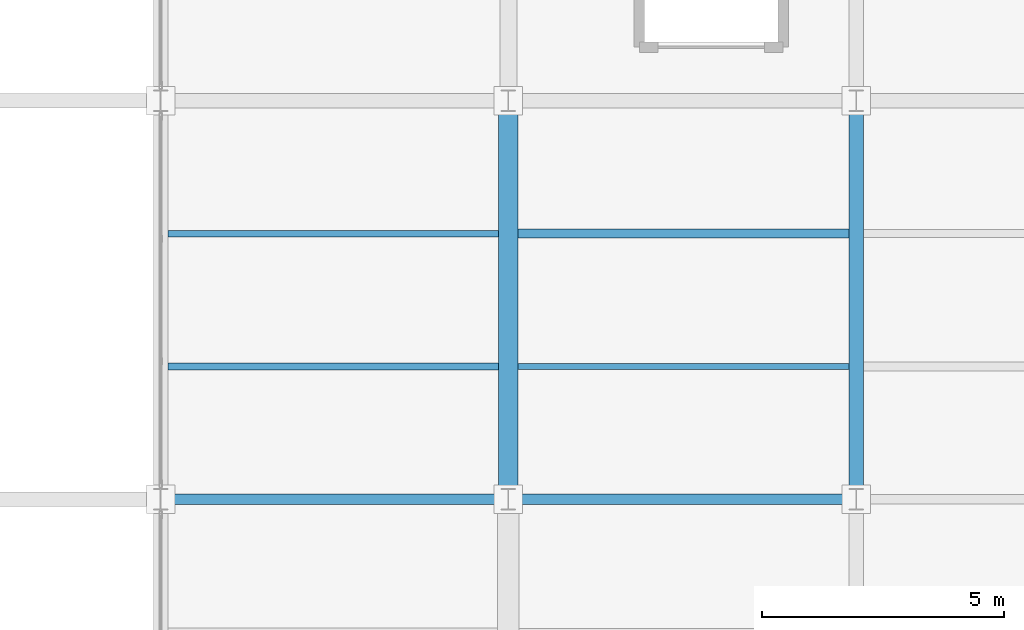
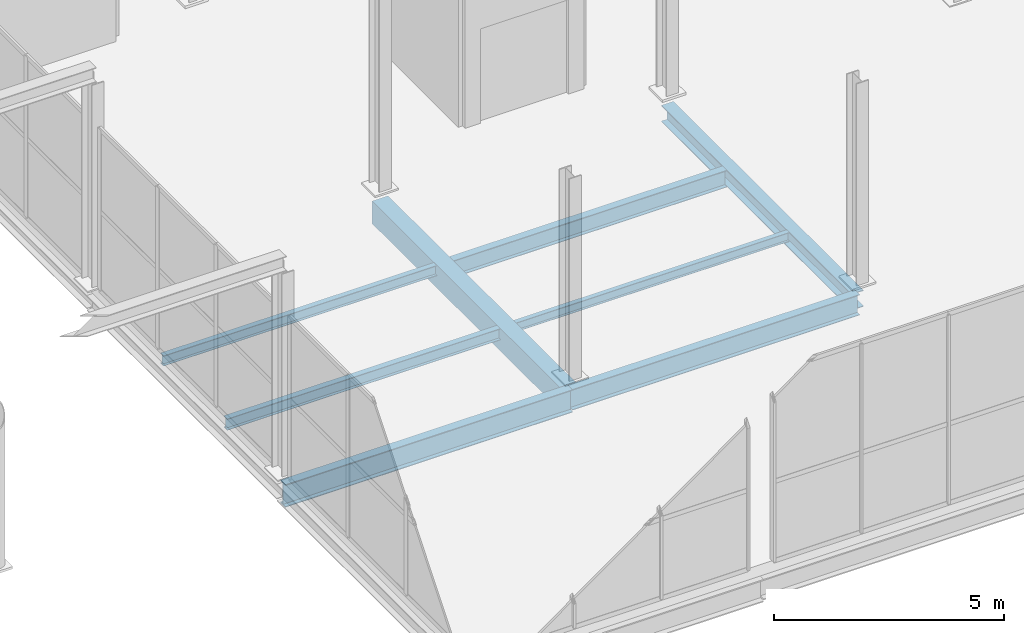
# One storey, part 29 of 147: 8 beams.
"""IFC4 building model written with IfcOpenShell, lengths in metres."""

from ifc_helpers import new_model, si_unit, direction, frame, origin, origin_2d, place, context, subcontext, project, spatial, rectangle, i_section, extrude, material, material_profile, profile_set, type_object, element, save


model = new_model("IFC4")

# Units and contexts
model_context = context("Model", 3, precision=1e-05, world=origin(), true_north=direction((0.0, 1.0)))
body_context = subcontext(model_context, "Body", "Model", "MODEL_VIEW")
ifc_project = project(units=[si_unit("LENGTHUNIT", "METRE"), si_unit("AREAUNIT", "SQUARE_METRE"), si_unit("VOLUMEUNIT", "CUBIC_METRE"), si_unit("PLANEANGLEUNIT", "RADIAN"), si_unit("MASSUNIT", "GRAM", prefix="KILO")], contexts=[model_context])

# Site, building, storey
site_placement = place(None, origin())
site = spatial("IfcSite", under=ifc_project, at=site_placement, CompositionType="ELEMENT")
building_placement = place(site_placement, origin())
building = spatial("IfcBuilding", under=site, at=building_placement, Name="Sundgate Opera House", CompositionType="ELEMENT")
storey_placement = place(building_placement, frame((0.0, 0.0, 6.0)))
storey = spatial("IfcBuildingStorey", under=building, at=storey_placement, Name="L01", CompositionType="ELEMENT", Elevation=6.0)

# Beams
ifc_material_1 = material(Name="Steel S355J2", Category="steel")
ifc_material_profile_1 = material_profile(ifc_material_1, i_section(OverallWidth=0.300048828125, OverallDepth=0.43994140625, WebThickness=0.011474609375, FlangeThickness=0.02099609375, at=origin_2d()), Name="HEA 450")
ifc_profile_set_1 = profile_set([ifc_material_profile_1], Name="Steel S355J2")
beam_type_1 = type_object("IfcBeamType", Name="BM-GR-HEA450", PredefinedType="BEAM", material=ifc_profile_set_1)
beam_1_placement = place(storey_placement, frame((109.800048828125, 8.25, -0.52001953125), z_axis=(0.0, 1.0, 0.0), x_axis=(-1.0, 0.0, 0.0)))
element("IfcBeam", 1, at=beam_1_placement, inside=storey, type_object=beam_type_1, Name="L01 Primary N-S Girder B1170", PredefinedType="BEAM", context=body_context, shape_type="SweptSolid", body=[
    extrude(i_section(OverallWidth=0.300048828125, OverallDepth=0.43994140625, WebThickness=0.011474609375, FlangeThickness=0.02099609375, at=origin_2d()), origin(), (0.0, 0.0, 1.0), 8.25),
])
ifc_material_2 = material(Name="Steel S355J2", Category="steel")
ifc_material_profile_2 = material_profile(ifc_material_2, i_section(OverallWidth=0.2099609375, OverallDepth=0.550048828125, WebThickness=0.010986328125, FlangeThickness=0.01708984375, at=origin_2d()), Name="IPE 550")
ifc_profile_set_2 = profile_set([ifc_material_profile_2], Name="Steel S355J2")
beam_type_2 = type_object("IfcBeamType", Name="BM-GR-IPE550", PredefinedType="BEAM", material=ifc_profile_set_2)
beam_2_placement = place(storey_placement, frame((102.60009765625, 8.25, -0.574951171875), z_axis=(1.0, 0.0, 0.0), x_axis=(0.0, 1.0, 0.0)))
element("IfcBeam", 2, at=beam_2_placement, inside=storey, type_object=beam_type_2, Name="L01 Primary E-W Girder B1285", PredefinedType="BEAM", context=body_context, shape_type="SweptSolid", body=[
    extrude(i_section(OverallWidth=0.2099609375, OverallDepth=0.550048828125, WebThickness=0.010986328125, FlangeThickness=0.01708984375, at=origin_2d()), origin(), (0.0, 0.0, 1.0), 7.199951171875),
])
ifc_material_3 = material(Name="Steel S355J2", Category="steel")
ifc_material_profile_3 = material_profile(ifc_material_3, i_section(OverallWidth=0.219970703125, OverallDepth=0.60009765625, WebThickness=0.011962890625, FlangeThickness=0.01904296875, at=origin_2d()), Name="IPE 600")
ifc_profile_set_3 = profile_set([ifc_material_profile_3], Name="Steel S355J2")
beam_type_3 = type_object("IfcBeamType", Name="BM-GR-IPE600", PredefinedType="BEAM", material=ifc_profile_set_3)
beam_3_placement = place(storey_placement, frame((95.39990234375, 8.25, -0.60009765625), z_axis=(1.0, 0.0, 0.0), x_axis=(0.0, 1.0, 0.0)))
element("IfcBeam", 3, at=beam_3_placement, inside=storey, type_object=beam_type_3, Name="L01 Primary E-W Girder B1284", PredefinedType="BEAM", context=body_context, shape_type="SweptSolid", body=[
    extrude(i_section(OverallWidth=0.219970703125, OverallDepth=0.60009765625, WebThickness=0.011962890625, FlangeThickness=0.01904296875, at=origin_2d()), origin(), (0.0, 0.0, 1.0), 7.2001953125),
])
ifc_material_4 = material(Name="Steel S355J2", Category="steel")
ifc_material_profile_4 = material_profile(ifc_material_4, i_section(OverallWidth=0.1201171875, OverallDepth=0.239990234375, WebThickness=0.006103515625, FlangeThickness=0.009765625, at=origin_2d()), Name="IPE 240")
ifc_profile_set_4 = profile_set([ifc_material_profile_4], Name="Steel S355J2")
beam_type_4 = type_object("IfcBeamType", Name="BM-JS-IPE240", PredefinedType="JOIST", material=ifc_profile_set_4)
beam_4_placement = place(storey_placement, frame((102.800048828125, 11.0, -0.419921875), z_axis=(1.0, 0.0, 0.0), x_axis=(0.0, 1.0, 0.0)))
element("IfcBeam", 4, at=beam_4_placement, inside=storey, type_object=beam_type_4, Name="L01 Secondary Floor Joist B1504", PredefinedType="JOIST", context=body_context, shape_type="SweptSolid", body=[
    extrude(i_section(OverallWidth=0.1201171875, OverallDepth=0.239990234375, WebThickness=0.006103515625, FlangeThickness=0.009765625, at=origin_2d()), origin(), (0.0, 0.0, 1.0), 6.849853515625),
])
ifc_material_5 = material(Name="Steel S355J2", Category="steel")
ifc_material_profile_5 = material_profile(ifc_material_5, i_section(OverallWidth=0.135009765625, OverallDepth=0.27001953125, WebThickness=0.006591796875, FlangeThickness=0.01025390625, at=origin_2d()), Name="IPE 270")
ifc_profile_set_5 = profile_set([ifc_material_profile_5], Name="Steel S355J2")
beam_type_5 = type_object("IfcBeamType", Name="BM-JS-IPE270", PredefinedType="JOIST", material=ifc_profile_set_5)
beam_5_placement = place(storey_placement, frame((95.550048828125, 13.75, -0.43505859375), z_axis=(1.0, 0.0, 0.0), x_axis=(0.0, 1.0, 0.0)))
element("IfcBeam", 5, at=beam_5_placement, inside=storey, type_object=beam_type_5, Name="L01 Secondary Floor Joist B1503", PredefinedType="JOIST", context=body_context, shape_type="SweptSolid", body=[
    extrude(i_section(OverallWidth=0.135009765625, OverallDepth=0.27001953125, WebThickness=0.006591796875, FlangeThickness=0.01025390625, at=origin_2d()), origin(), (0.0, 0.0, 1.0), 6.849853515625),
])
ifc_material_6 = material(Name="Steel S355J2", Category="steel")
ifc_material_profile_6 = material_profile(ifc_material_6, i_section(OverallWidth=0.14990234375, OverallDepth=0.300048828125, WebThickness=0.007080078125, FlangeThickness=0.0107421875, at=origin_2d()), Name="IPE 300")
ifc_profile_set_6 = profile_set([ifc_material_profile_6], Name="Steel S355J2")
beam_type_6 = type_object("IfcBeamType", Name="BM-JS-IPE300", PredefinedType="JOIST", material=ifc_profile_set_6)
beam_6_placement = place(storey_placement, frame((95.550048828125, 11.0, -0.449951171875), z_axis=(1.0, 0.0, 0.0), x_axis=(0.0, 1.0, 0.0)))
element("IfcBeam", 6, at=beam_6_placement, inside=storey, type_object=beam_type_6, Name="L01 Secondary Floor Joist B1502", PredefinedType="JOIST", context=body_context, shape_type="SweptSolid", body=[
    extrude(i_section(OverallWidth=0.14990234375, OverallDepth=0.300048828125, WebThickness=0.007080078125, FlangeThickness=0.0107421875, at=origin_2d()), origin(), (0.0, 0.0, 1.0), 6.849853515625),
])
ifc_material_7 = material(Name="Steel S355J2", Category="steel")
ifc_material_profile_7 = material_profile(ifc_material_7, i_section(OverallWidth=0.18994140625, OverallDepth=0.449951171875, WebThickness=0.009521484375, FlangeThickness=0.0146484375, at=origin_2d()), Name="IPE 450")
ifc_profile_set_7 = profile_set([ifc_material_profile_7], Name="Steel S355J2")
beam_type_7 = type_object("IfcBeamType", Name="BM-JS-IPE450", PredefinedType="JOIST", material=ifc_profile_set_7)
beam_7_placement = place(storey_placement, frame((102.800048828125, 13.75, -0.52490234375), z_axis=(1.0, 0.0, 0.0), x_axis=(0.0, 1.0, 0.0)))
element("IfcBeam", 7, at=beam_7_placement, inside=storey, type_object=beam_type_7, Name="L01 Secondary Floor Joist B1505", PredefinedType="JOIST", context=body_context, shape_type="SweptSolid", body=[
    extrude(i_section(OverallWidth=0.18994140625, OverallDepth=0.449951171875, WebThickness=0.009521484375, FlangeThickness=0.0146484375, at=origin_2d()), origin(), (0.0, 0.0, 1.0), 6.849853515625),
])
ifc_material_8 = material(Name="Concrete C35/45", Category="concrete")
ifc_material_profile_8 = material_profile(ifc_material_8, rectangle(XDim=0.39990234375, YDim=0.60009765625, at=origin_2d()), Name="RC 400x600")
ifc_profile_set_8 = profile_set([ifc_material_profile_8], Name="Concrete C35/45")
beam_type_8 = type_object("IfcBeamType", Name="BM-RC-400x600", PredefinedType="BEAM", material=ifc_profile_set_8)
beam_8_placement = place(storey_placement, frame((102.60009765625, 8.25, -0.60009765625), z_axis=(0.0, 1.0, 0.0), x_axis=(-1.0, 0.0, 0.0)))
element("IfcBeam", 8, at=beam_8_placement, inside=storey, type_object=beam_type_8, Name="L01 Primary N-S Girder B1158", PredefinedType="BEAM", context=body_context, shape_type="SweptSolid", body=[
    extrude(rectangle(XDim=0.39990234375, YDim=0.60009765625, at=origin_2d()), origin(), (0.0, 0.0, 1.0), 8.25),
])

save(model, "model.ifc")
